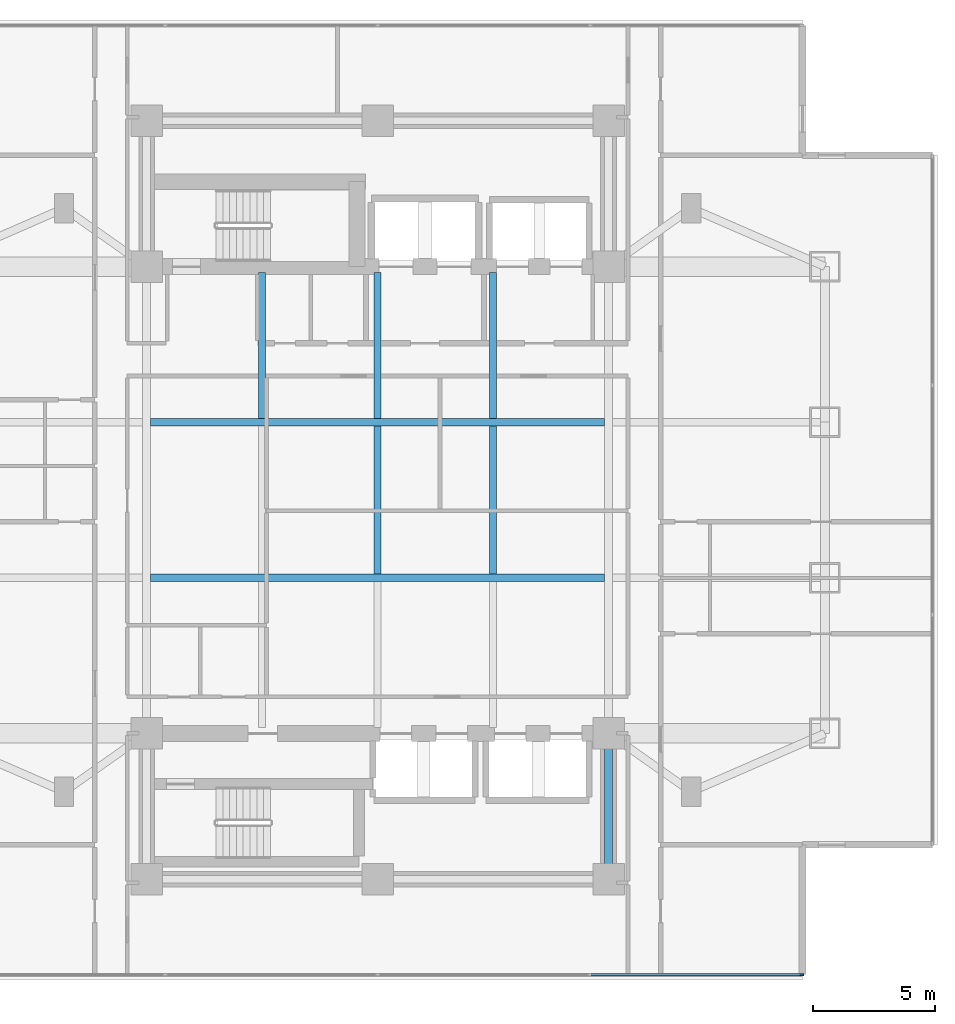
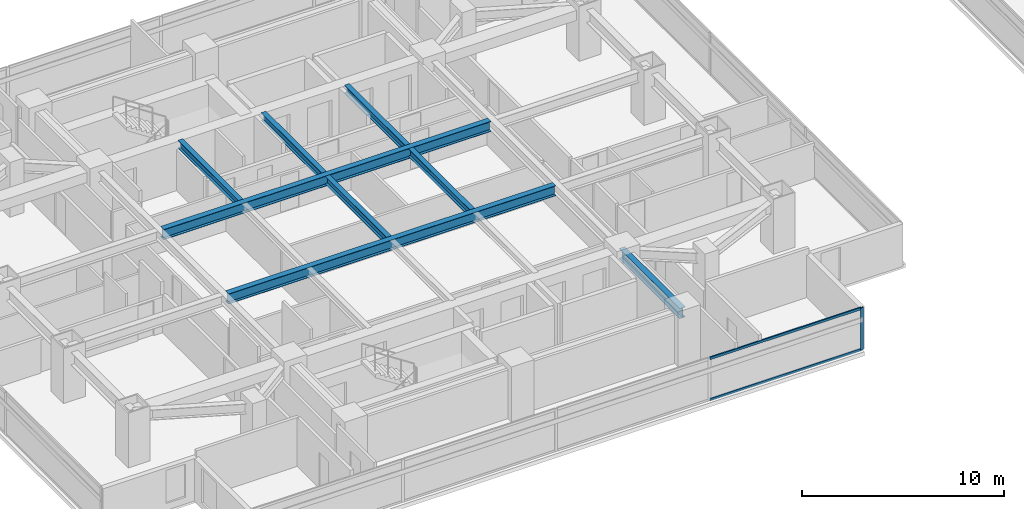
# One storey, part 4 of 26: 8 beams, 3 members, 1 element without a shape of its own.
"""IFC4 building model written with IfcOpenShell, lengths in metres."""

from ifc_helpers import new_model, si_unit, direction, frame, origin, origin_2d, place, context, subcontext, project, spatial, rectangle, i_section, extrude, material, material_profile, profile_set, type_object, element, aggregate, save


model = new_model("IFC4")

# Units and contexts
model_context = context("Model", 3, precision=1e-05, world=origin(), true_north=direction((0.0, 1.0)))
body_context = subcontext(model_context, "Body", "Model", "MODEL_VIEW")
ifc_project = project(units=[si_unit("LENGTHUNIT", "METRE"), si_unit("AREAUNIT", "SQUARE_METRE"), si_unit("VOLUMEUNIT", "CUBIC_METRE"), si_unit("PLANEANGLEUNIT", "RADIAN"), si_unit("MASSUNIT", "GRAM", prefix="KILO")], contexts=[model_context])

# Site, building, storey
site_placement = place(None, origin())
site = spatial("IfcSite", under=ifc_project, at=site_placement, CompositionType="ELEMENT")
building_placement = place(site_placement, origin())
building = spatial("IfcBuilding", under=site, at=building_placement, Name="Mirazonda Arch Towers", CompositionType="ELEMENT")
storey_placement = place(building_placement, frame((0.0, 0.0, 78.5)))
storey = spatial("IfcBuildingStorey", under=building, at=storey_placement, Name="L22", CompositionType="ELEMENT", Elevation=78.5)

# Beams
ifc_material_1 = material(Name="Steel ASTM A992 Grade 50", Category="steel")
ifc_material_profile_1 = material_profile(ifc_material_1, i_section(OverallWidth=0.280029296875, OverallDepth=0.462890625, WebThickness=0.0107421875, FlangeThickness=0.017333984375, at=origin_2d()), Name="W18X76")
ifc_profile_set_1 = profile_set([ifc_material_profile_1], Name="Steel ASTM A992 Grade 50")
beam_type_1 = type_object("IfcBeamType", Name="BM-INT-W18X76", PredefinedType="JOIST", material=ifc_profile_set_1)
for number, where, z_axis, x_axis, name in (
    (1, (15.75, 31.3583984375, 2.70849609375), (0.0, 1.0, 0.0), (-1.0, 0.0, 0.0), "L22 Floor Beam BMT-T1-L22-J-157-31"),
    (2, (20.5, 31.3583984375, 2.70849609375), (0.0, 1.0, 0.0), (-1.0, 0.0, 0.0), "L22 Floor Beam BMT-T1-L22-J-205-31"),
):
    element("IfcBeam", number, at=place(storey_placement, frame(where, z_axis=z_axis, x_axis=x_axis)), inside=storey, type_object=beam_type_1, Name=name, PredefinedType="JOIST", context=body_context, shape_type="SweptSolid", body=[
        extrude(i_section(OverallWidth=0.280029296875, OverallDepth=0.462890625, WebThickness=0.0107421875, FlangeThickness=0.017333984375, at=origin_2d()), origin(), (0.0, 0.0, 1.0), 6.001708984375),
    ])
beam_1_placement = place(storey_placement, frame((20.5, 24.95849609375, 2.70849609375), z_axis=(0.0, 1.0, 0.0), x_axis=(-1.0, 0.0, 0.0)))
element("IfcBeam", 3, at=beam_1_placement, inside=storey, type_object=beam_type_1, Name="L22 Floor Beam BMT-T1-L22-J-205-24", PredefinedType="JOIST", context=body_context, shape_type="SweptSolid", body=[
    extrude(i_section(OverallWidth=0.280029296875, OverallDepth=0.462890625, WebThickness=0.0107421875, FlangeThickness=0.017333984375, at=origin_2d()), origin(), (0.0, 0.0, 1.0), 6.0830078125),
])
beam_2_placement = place(storey_placement, frame((25.25, 31.3583984375, 2.70849609375), z_axis=(0.0, 1.0, 0.0), x_axis=(-1.0, 0.0, 0.0)))
element("IfcBeam", 4, at=beam_2_placement, inside=storey, type_object=beam_type_1, Name="L22 Floor Beam BMT-T1-L22-J-252-31", PredefinedType="JOIST", context=body_context, shape_type="SweptSolid", body=[
    extrude(i_section(OverallWidth=0.280029296875, OverallDepth=0.462890625, WebThickness=0.0107421875, FlangeThickness=0.017333984375, at=origin_2d()), origin(), (0.0, 0.0, 1.0), 6.001708984375),
])
beam_3_placement = place(storey_placement, frame((25.25, 24.95849609375, 2.70849609375), z_axis=(0.0, 1.0, 0.0), x_axis=(-1.0, 0.0, 0.0)))
element("IfcBeam", 5, at=beam_3_placement, inside=storey, type_object=beam_type_1, Name="L22 Floor Beam BMT-T1-L22-J-252-24", PredefinedType="JOIST", context=body_context, shape_type="SweptSolid", body=[
    extrude(i_section(OverallWidth=0.280029296875, OverallDepth=0.462890625, WebThickness=0.0107421875, FlangeThickness=0.017333984375, at=origin_2d()), origin(), (0.0, 0.0, 1.0), 6.0830078125),
])
ifc_material_profile_2 = material_profile(ifc_material_1, i_section(OverallWidth=0.324951171875, OverallDepth=0.615966796875, WebThickness=0.013916015625, FlangeThickness=0.021484375, at=origin_2d()), Name="W24X117")
ifc_profile_set_2 = profile_set([ifc_material_profile_2], Name="Steel ASTM A992 Grade 50")
beam_type_2 = type_object("IfcBeamType", Name="BM-INT-W24X117", PredefinedType="BEAM", material=ifc_profile_set_2)
for number, where, z_axis, x_axis, name in (
    (6, (11.16259765625, 24.800048828125, 2.632080078125), (1.0, 0.0, 0.0), (0.0, 1.0, 0.0), "L22 Floor Beam BMT-T1-L22-GC2"),
    (7, (11.16259765625, 31.199951171875, 2.632080078125), (1.0, 0.0, 0.0), (0.0, 1.0, 0.0), "L22 Floor Beam BMT-T1-L22-GC3"),
):
    element("IfcBeam", number, at=place(storey_placement, frame(where, z_axis=z_axis, x_axis=x_axis)), inside=storey, type_object=beam_type_2, Name=name, PredefinedType="BEAM", context=body_context, shape_type="SweptSolid", body=[
        extrude(i_section(OverallWidth=0.324951171875, OverallDepth=0.615966796875, WebThickness=0.013916015625, FlangeThickness=0.021484375, at=origin_2d()), origin(), (0.0, 0.0, 1.0), 18.6748046875),
    ])
beam_4_placement = place(storey_placement, frame((30.0, 12.39990234375, 2.632080078125), z_axis=(0.0, 1.0, 0.0), x_axis=(-1.0, 0.0, 0.0)))
element("IfcBeam", 8, at=beam_4_placement, inside=storey, type_object=beam_type_2, Name="L22 Floor Beam BMT-T1-L22-CSE", PredefinedType="BEAM", context=body_context, shape_type="SweptSolid", body=[
    extrude(i_section(OverallWidth=0.324951171875, OverallDepth=0.615966796875, WebThickness=0.013916015625, FlangeThickness=0.021484375, at=origin_2d()), origin(), (0.0, 0.0, 1.0), 6.0),
])

# Curtain wall, members
ifc_material_2 = material(Name="Anodised Aluminium and Low-E Glass", Category="aluminium")
curtain_wall_type = type_object("IfcCurtainWallType", Name="CW-HTL-UNIT", PredefinedType="NOTDEFINED", material=ifc_material_2)
curtain_wall_placement = place(storey_placement, origin())
curtain_wall = element("IfcCurtainWall", 9, at=curtain_wall_placement, inside=storey, type_object=curtain_wall_type, Name="L22 T1 S Facade CW-L22-T1-S", PredefinedType="NOTDEFINED")
ifc_material_3 = material(Name="Anodised Aluminium Alloy", Category="aluminium")
ifc_material_profile_3 = material_profile(ifc_material_3, rectangle(XDim=0.074951171875, YDim=0.1650390625, at=origin_2d()), Name="ALU-MULL-75x165")
ifc_profile_set_3 = profile_set([ifc_material_profile_3], Name="Anodised Aluminium Alloy")
member_type_1 = type_object("IfcMemberType", Name="MULL-CW-HTL-UNIT", PredefinedType="MULLION", material=ifc_profile_set_3)
member_1_placement = place(storey_placement, frame((37.9423828125, 8.47607421875, 0.0), z_axis=(0.0, 0.0, 1.0), x_axis=(0.0, -1.0, 0.0)))
member_1 = element("IfcMember", 10, at=member_1_placement, type_object=member_type_1, Name="CW-112 mullion 1", PredefinedType="MULLION", context=body_context, shape_type="SweptSolid", body=[
    extrude(rectangle(XDim=0.074951171875, YDim=0.1650390625, at=origin_2d()), origin(), (0.0, 0.0, 1.0), 2.56005859375),
])
ifc_material_profile_4 = material_profile(ifc_material_3, rectangle(XDim=0.074951171875, YDim=0.14501953125, at=origin_2d()), Name="ALU-TRAN-75x145")
ifc_profile_set_4 = profile_set([ifc_material_profile_4], Name="Anodised Aluminium Alloy")
member_type_2 = type_object("IfcMemberType", Name="TRAN-CW-HTL-UNIT", PredefinedType="USERDEFINED", material=ifc_profile_set_4)
member_2_placement = place(storey_placement, frame((37.905029296875, 8.47607421875, 0.03759765625), z_axis=(-1.0, 0.0, 0.0), x_axis=(0.0, -1.0, 0.0)))
member_2 = element("IfcMember", 11, at=member_2_placement, type_object=member_type_2, Name="CW-112 transom 1.1", ObjectType="TRANSOM", PredefinedType="USERDEFINED", context=body_context, shape_type="SweptSolid", body=[
    extrude(rectangle(XDim=0.074951171875, YDim=0.14501953125, at=origin_2d()), origin(), (0.0, 0.0, 1.0), 8.62744140625),
])
member_3_placement = place(storey_placement, frame((37.905029296875, 8.47607421875, 2.5224609375), z_axis=(-1.0, 0.0, 0.0), x_axis=(0.0, -1.0, 0.0)))
member_3 = element("IfcMember", 12, at=member_3_placement, type_object=member_type_2, Name="CW-112 transom 1.2", ObjectType="TRANSOM", PredefinedType="USERDEFINED", context=body_context, shape_type="SweptSolid", body=[
    extrude(rectangle(XDim=0.074951171875, YDim=0.14501953125, at=origin_2d()), origin(), (0.0, 0.0, 1.0), 8.62744140625),
])
aggregate(curtain_wall, [member_1, member_2, member_3])

save(model, "model.ifc")
